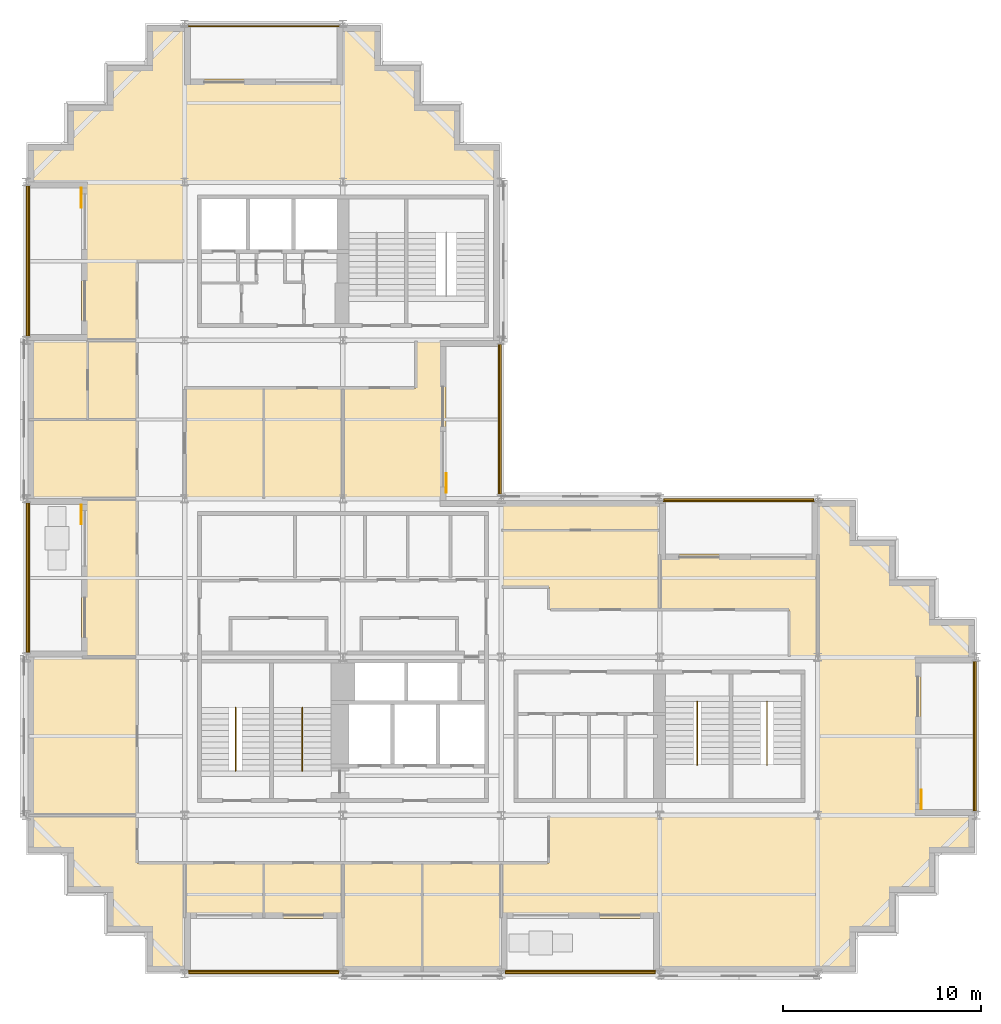
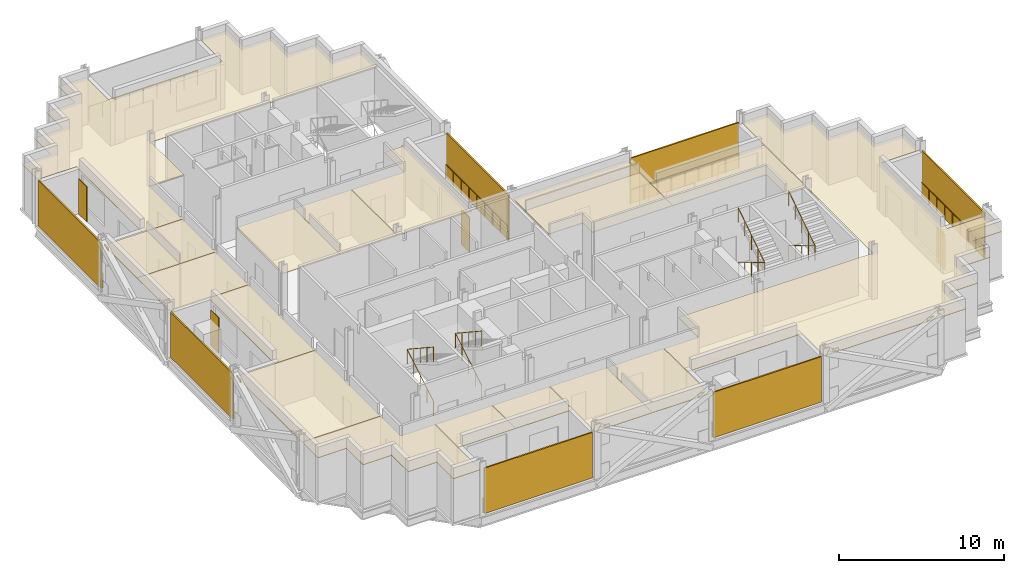
# One storey, part 11 of 13: 18 coverings, 12 railings, 11 shading devices.
"""IFC4 building model written with IfcOpenShell, lengths in metres."""

import ifcopenshell
import ifcopenshell.guid

model = None  # the IFC model being written
_history = None  # IfcOwnerHistory: only IFC2X3 demands one
_inside = {}  # id of a spatial element -> (the spatial element, [elements in it])
_under = {}  # id of a project, library or spatial element -> (it, [spatial elements below it])
_declared = {}  # id of a project -> (the project, [libraries it declares])
_typed = {}  # id of a type object -> (the type object, [elements of that type])
_made_of = {}  # id of a material, layer set ... -> (it, [elements and type objects made of it])


def new_model(schema):
    """Start an empty IFC model of exactly this schema.

    Asked for "IFC4X3", IfcOpenShell would pick the latest addendum, in which some entities
    have other attributes; the version numbers below select the first issue.
    IFC2X3 requires an IfcOwnerHistory on every rooted entity: one is made here for all.
    """
    global model, _history
    if schema == "IFC4X3":
        model = ifcopenshell.file(schema_version=(4, 3, 0, 0))
    else:
        model = ifcopenshell.file(schema=schema)
    _inside.clear()
    _under.clear()
    _declared.clear()
    _typed.clear()
    _made_of.clear()
    _history = None
    if model.schema == "IFC2X3":
        org = make("IfcOrganization", Name="unknown")
        user = make(
            "IfcPersonAndOrganization",
            ThePerson=make("IfcPerson", FamilyName="unknown"),
            TheOrganization=org,
        )
        app = make(
            "IfcApplication",
            ApplicationDeveloper=org,
            Version="unknown",
            ApplicationFullName="unknown",
            ApplicationIdentifier="unknown",
        )
        _history = make(
            "IfcOwnerHistory",
            OwningUser=user,
            OwningApplication=app,
            ChangeAction="ADDED",
            CreationDate=0,
        )
    return model


def make(cls, **values):
    """One entity of the class cls with the attributes given. An attribute that is None is left unset."""
    return model.create_entity(
        cls, **{name: value for name, value in values.items() if value is not None}
    )


def rooted(cls, **values):
    """An entity with a GlobalId (a new one), such as an element, a storey or a relation."""
    return make(cls, GlobalId=ifcopenshell.guid.new(), OwnerHistory=_history, **values)


def si_unit(unit_type, name, prefix=None):
    """IfcSIUnit, for example si_unit("LENGTHUNIT", "METRE", prefix="MILLI")."""
    return make("IfcSIUnit", UnitType=unit_type, Prefix=prefix, Name=name)


def assignment(units):
    """IfcUnitAssignment: the units of a project."""
    return None if units is None else make("IfcUnitAssignment", Units=units)


def point(xyz):
    """IfcCartesianPoint."""
    return None if xyz is None else make("IfcCartesianPoint", Coordinates=xyz)


def direction(xyz):
    """IfcDirection."""
    return None if xyz is None else make("IfcDirection", DirectionRatios=xyz)


def frame(location, z_axis=None, x_axis=None):
    """IfcAxis2Placement3D, a coordinate frame: its origin and axes. An axis left out is left unset."""
    return make(
        "IfcAxis2Placement3D",
        Location=point(location),
        Axis=direction(z_axis),
        RefDirection=direction(x_axis),
    )


def frame_2d(location, x_axis=None):
    """IfcAxis2Placement2D, a coordinate frame in the plane: its origin and x axis."""
    return make(
        "IfcAxis2Placement2D", Location=point(location), RefDirection=direction(x_axis)
    )


def origin():
    """The frame at (0, 0, 0) with its axes left unset."""
    return frame((0.0, 0.0, 0.0))


def origin_2d():
    """The frame at (0, 0) in the plane with its x axis left unset."""
    return frame_2d((0.0, 0.0))


def place(relative_to, where):
    """IfcLocalPlacement: puts the frame where relative to a parent placement (None: the world)."""
    return make(
        "IfcLocalPlacement", PlacementRelTo=relative_to, RelativePlacement=where
    )


def context(
    kind, dimensions, precision=None, world=None, true_north=None, identifier=None
):
    """IfcGeometricRepresentationContext, for example the 3D "Model" context."""
    return make(
        "IfcGeometricRepresentationContext",
        ContextIdentifier=identifier,
        ContextType=kind,
        CoordinateSpaceDimension=dimensions,
        Precision=precision,
        WorldCoordinateSystem=world,
        TrueNorth=true_north,
    )


def subcontext(parent, identifier, kind, view, scale=None):
    """IfcGeometricRepresentationSubContext, for example "Body" below "Model"."""
    return make(
        "IfcGeometricRepresentationSubContext",
        ContextIdentifier=identifier,
        ContextType=kind,
        ParentContext=parent,
        TargetScale=scale,
        TargetView=view,
    )


def project(units=None, contexts=None):
    """IfcProject with its units and contexts."""
    return rooted(
        "IfcProject",
        Name="project",
        RepresentationContexts=contexts,
        UnitsInContext=assignment(units),
    )


def spatial(cls, under=None, at=None, **own):
    """A site, building, storey or space (cls), placed at a placement, below another one or the project."""
    s = rooted(cls, ObjectPlacement=at, **own)
    if under is not None:
        _under.setdefault(under.id(), (under, []))[1].append(s)
    return s


def polyline(points):
    """IfcPolyline through the points."""
    return make("IfcPolyline", Points=[point(p) for p in points])


def profile(cls, at=None, kind="AREA", **sizes):
    """A parametric profile (cls). Its sizes go by their IFC names, for example OverallWidth=200.0."""
    return make(cls, ProfileType=kind, Position=at, **sizes)


def rectangle(**sizes):
    """IfcRectangleProfileDef."""
    return profile("IfcRectangleProfileDef", **sizes)


def circle(**sizes):
    """IfcCircleProfileDef."""
    return profile("IfcCircleProfileDef", **sizes)


def outline(outer, holes=None, kind="AREA"):
    """IfcArbitraryClosedProfileDef: a profile drawn as a closed curve; with holes, ...WithVoids."""
    if holes is None:
        return make("IfcArbitraryClosedProfileDef", ProfileType=kind, OuterCurve=outer)
    return make(
        "IfcArbitraryProfileDefWithVoids",
        ProfileType=kind,
        OuterCurve=outer,
        InnerCurves=holes,
    )


def extrude(swept, where, along, depth):
    """IfcExtrudedAreaSolid: the profile swept, set in the frame where, extruded along a direction by depth."""
    return make(
        "IfcExtrudedAreaSolid",
        SweptArea=swept,
        Position=where,
        ExtrudedDirection=direction(along),
        Depth=depth,
    )


def shape(context_of_items, identifier, shape_type, items):
    """IfcShapeRepresentation: the items that make up one representation, for example the "Body"."""
    return make(
        "IfcShapeRepresentation",
        ContextOfItems=context_of_items,
        RepresentationIdentifier=identifier,
        RepresentationType=shape_type,
        Items=items,
    )


def material(Name=None, Category=None):
    """IfcMaterial."""
    return make("IfcMaterial", Name=Name, Category=Category)


def layer(
    of_material, thickness, ventilated=None, Name=None, Category=None, Priority=None
):
    """IfcMaterialLayer: one layer of a wall or slab, of a material (None: an air gap)."""
    return make(
        "IfcMaterialLayer",
        Material=of_material,
        LayerThickness=thickness,
        IsVentilated=ventilated,
        Name=Name,
        Category=Category,
        Priority=Priority,
    )


def layer_set(layers, Name=None):
    """IfcMaterialLayerSet."""
    return make("IfcMaterialLayerSet", MaterialLayers=layers, LayerSetName=Name)


def made_of(thing, what):
    """Note that an element or type object is made of a material, layer set ...; save() writes the relation."""
    if what is not None:
        _made_of.setdefault(what.id(), (what, []))[1].append(thing)
    return thing


def type_object(cls, material=None, **own):
    """A type object (cls), such as IfcWallType, which elements share."""
    return made_of(rooted(cls, **own), material)


def element(
    cls,
    number,
    at=None,
    inside=None,
    cuts=None,
    type_object=None,
    material=None,
    context=None,
    identifier="Body",
    shape_type=None,
    held_by="IfcProductDefinitionShape",
    body=None,
    shapes=None,
    **own,
):
    """One element of the class cls, such as IfcWall. Its Tag is "e" and its number.

    at: its placement. inside: the storey or other place that contains it. cuts: it is an
    opening in that element (IfcRelVoidsElement). A single representation is given by context,
    identifier, shape_type and body (its items); several are given by shapes. held_by: the class
    of the entity that holds the representations. save() writes the other relations.
    """
    e = rooted(cls, Tag="e%d" % number, ObjectPlacement=at, **own)
    if body is not None:
        shapes = [shape(context, identifier, shape_type, body)]
    if shapes is not None:
        e.Representation = make(held_by, Representations=shapes)
    if inside is not None:
        _inside.setdefault(inside.id(), (inside, []))[1].append(e)
    if cuts is not None:
        rooted(
            "IfcRelVoidsElement", RelatingBuildingElement=cuts, RelatedOpeningElement=e
        )
    if type_object is not None:
        _typed.setdefault(type_object.id(), (type_object, []))[1].append(e)
    return made_of(e, material)


def aggregate(whole, parts):
    """IfcRelAggregates: a whole, such as a stair, and the parts it consists of."""
    return rooted("IfcRelAggregates", RelatingObject=whole, RelatedObjects=parts)


def save(model, path):
    """Write the relations noted so far, then the file.

    IfcRelAggregates (storeys below a building ...), IfcRelContainedInSpatialStructure (elements
    in a storey), IfcRelDefinesByType, IfcRelAssociatesMaterial and IfcRelDeclares: one each for
    every whole, place, type object, material and project.
    """
    for whole, parts in _under.values():
        aggregate(whole, parts)
    for where, things in _inside.values():
        rooted(
            "IfcRelContainedInSpatialStructure",
            RelatedElements=things,
            RelatingStructure=where,
        )
    for kind, things in _typed.values():
        rooted("IfcRelDefinesByType", RelatedObjects=things, RelatingType=kind)
    for what, things in _made_of.values():
        rooted("IfcRelAssociatesMaterial", RelatedObjects=things, RelatingMaterial=what)
    for by, libraries in _declared.values():
        rooted("IfcRelDeclares", RelatingContext=by, RelatedDefinitions=libraries)
    model.write(path)


model = new_model("IFC4")

# Units and contexts
model_context = context("Model", 3, precision=1e-05, world=origin(), true_north=direction((0.0, 1.0)))
body_context = subcontext(model_context, "Body", "Model", "MODEL_VIEW")
ifc_project = project(units=[si_unit("LENGTHUNIT", "METRE"), si_unit("AREAUNIT", "SQUARE_METRE"), si_unit("VOLUMEUNIT", "CUBIC_METRE"), si_unit("PLANEANGLEUNIT", "RADIAN"), si_unit("MASSUNIT", "GRAM", prefix="KILO")], contexts=[model_context])

# Site, building, storey
site_placement = place(None, origin())
site = spatial("IfcSite", under=ifc_project, at=site_placement, CompositionType="ELEMENT")
building_placement = place(site_placement, origin())
building = spatial("IfcBuilding", under=site, at=building_placement, Name="Immortelle Media Tower", CompositionType="ELEMENT")
storey_placement = place(building_placement, frame((0.0, 0.0, 128.39990234375)))
storey = spatial("IfcBuildingStorey", under=building, at=storey_placement, Name="L25", CompositionType="ELEMENT", Elevation=128.39990234375)

# Railings
ifc_material_1 = material(Name="Powder-coated aluminium fretwork panel, laminated glass backing", Category="aluminium")
railing_type_1 = type_object("IfcRailingType", Name="Fretwork balustrade 1100", PredefinedType="BALUSTRADE", material=ifc_material_1)
railing_1_placement = place(storey_placement, frame((8.20556640625, 0.139892578125, 0.0)))
element("IfcRailing", 1, at=railing_1_placement, inside=storey, type_object=railing_type_1, Name="Fretwork balustrade L25 S0", PredefinedType="BALUSTRADE", context=body_context, shape_type="SweptSolid", body=[
    extrude(circle(Radius=0.02490234375, at=origin_2d()), frame((0.0, 0.0, 1.0751953125), z_axis=(1.0, 0.0, 0.0), x_axis=(0.0, 1.0, 0.0)), (0.0, 0.0, 1.0), 7.58251953125),
    extrude(circle(Radius=0.02001953125, at=origin_2d()), origin(), (0.0, 0.0, 1.0), 1.050048828125),
    extrude(circle(Radius=0.02001953125, at=origin_2d()), frame((0.94775390625, 0.0, 0.0)), (0.0, 0.0, 1.0), 1.050048828125),
    extrude(circle(Radius=0.02001953125, at=origin_2d()), frame((1.8955078125, 0.0, 0.0)), (0.0, 0.0, 1.0), 1.050048828125),
    extrude(circle(Radius=0.02001953125, at=origin_2d()), frame((2.843505859375, 0.0, 0.0)), (0.0, 0.0, 1.0), 1.050048828125),
    extrude(circle(Radius=0.02001953125, at=origin_2d()), frame((3.791259765625, 0.0, 0.0)), (0.0, 0.0, 1.0), 1.050048828125),
    extrude(circle(Radius=0.02001953125, at=origin_2d()), frame((4.739013671875, 0.0, 0.0)), (0.0, 0.0, 1.0), 1.050048828125),
    extrude(circle(Radius=0.02001953125, at=origin_2d()), frame((5.68701171875, 0.0, 0.0)), (0.0, 0.0, 1.0), 1.050048828125),
    extrude(circle(Radius=0.02001953125, at=origin_2d()), frame((6.634765625, 0.0, 0.0)), (0.0, 0.0, 1.0), 1.050048828125),
    extrude(circle(Radius=0.02001953125, at=origin_2d()), frame((7.58251953125, 0.0, 0.0)), (0.0, 0.0, 1.0), 1.050048828125),
])
railing_2_placement = place(storey_placement, frame((24.2119140625, 0.139892578125, 0.0)))
element("IfcRailing", 2, at=railing_2_placement, inside=storey, type_object=railing_type_1, Name="Fretwork balustrade L25 S2", PredefinedType="BALUSTRADE", context=body_context, shape_type="SweptSolid", body=[
    extrude(circle(Radius=0.02490234375, at=origin_2d()), frame((0.0, 0.0, 1.0751953125), z_axis=(1.0, 0.0, 0.0), x_axis=(0.0, 1.0, 0.0)), (0.0, 0.0, 1.0), 7.576171875),
    extrude(circle(Radius=0.02001953125, at=origin_2d()), origin(), (0.0, 0.0, 1.0), 1.050048828125),
    extrude(circle(Radius=0.02001953125, at=origin_2d()), frame((0.947021484375, 0.0, 0.0)), (0.0, 0.0, 1.0), 1.050048828125),
    extrude(circle(Radius=0.02001953125, at=origin_2d()), frame((1.89404296875, 0.0, 0.0)), (0.0, 0.0, 1.0), 1.050048828125),
    extrude(circle(Radius=0.02001953125, at=origin_2d()), frame((2.841064453125, 0.0, 0.0)), (0.0, 0.0, 1.0), 1.050048828125),
    extrude(circle(Radius=0.02001953125, at=origin_2d()), frame((3.7880859375, 0.0, 0.0)), (0.0, 0.0, 1.0), 1.050048828125),
    extrude(circle(Radius=0.02001953125, at=origin_2d()), frame((4.735107421875, 0.0, 0.0)), (0.0, 0.0, 1.0), 1.050048828125),
    extrude(circle(Radius=0.02001953125, at=origin_2d()), frame((5.68212890625, 0.0, 0.0)), (0.0, 0.0, 1.0), 1.050048828125),
    extrude(circle(Radius=0.02001953125, at=origin_2d()), frame((6.629150390625, 0.0, 0.0)), (0.0, 0.0, 1.0), 1.050048828125),
    extrude(circle(Radius=0.02001953125, at=origin_2d()), frame((7.576171875, 0.0, 0.0)), (0.0, 0.0, 1.0), 1.050048828125),
])
railing_3_placement = place(storey_placement, frame((47.860107421875, 8.217041015625, 0.0)))
element("IfcRailing", 3, at=railing_3_placement, inside=storey, type_object=railing_type_1, Name="Fretwork balustrade L25 E0", PredefinedType="BALUSTRADE", context=body_context, shape_type="SweptSolid", body=[
    extrude(circle(Radius=0.02490234375, at=origin_2d()), frame((0.0, 0.0, 1.0751953125), z_axis=(0.0, 1.0, 0.0), x_axis=(-1.0, 0.0, 0.0)), (0.0, 0.0, 1.0), 7.56591796875),
    extrude(circle(Radius=0.02001953125, at=origin_2d()), origin(), (0.0, 0.0, 1.0), 1.050048828125),
    extrude(circle(Radius=0.02001953125, at=origin_2d()), frame((0.0, 0.94580078125, 0.0)), (0.0, 0.0, 1.0), 1.050048828125),
    extrude(circle(Radius=0.02001953125, at=origin_2d()), frame((0.0, 1.8916015625, 0.0)), (0.0, 0.0, 1.0), 1.050048828125),
    extrude(circle(Radius=0.02001953125, at=origin_2d()), frame((0.0, 2.837158203125, 0.0)), (0.0, 0.0, 1.0), 1.050048828125),
    extrude(circle(Radius=0.02001953125, at=origin_2d()), frame((0.0, 3.782958984375, 0.0)), (0.0, 0.0, 1.0), 1.050048828125),
    extrude(circle(Radius=0.02001953125, at=origin_2d()), frame((0.0, 4.728759765625, 0.0)), (0.0, 0.0, 1.0), 1.050048828125),
    extrude(circle(Radius=0.02001953125, at=origin_2d()), frame((0.0, 5.67431640625, 0.0)), (0.0, 0.0, 1.0), 1.050048828125),
    extrude(circle(Radius=0.02001953125, at=origin_2d()), frame((0.0, 6.6201171875, 0.0)), (0.0, 0.0, 1.0), 1.050048828125),
    extrude(circle(Radius=0.02001953125, at=origin_2d()), frame((0.0, 7.56591796875, 0.0)), (0.0, 0.0, 1.0), 1.050048828125),
])
railing_4_placement = place(storey_placement, frame((39.79443359375, 23.860107421875, 0.0)))
element("IfcRailing", 4, at=railing_4_placement, inside=storey, type_object=railing_type_1, Name="Fretwork balustrade L25 N0", PredefinedType="BALUSTRADE", context=body_context, shape_type="SweptSolid", body=[
    extrude(circle(Radius=0.02490234375, at=origin_2d()), frame((0.0, 0.0, 1.0751953125), z_axis=(-1.0, 0.0, 0.0), x_axis=(0.0, -1.0, 0.0)), (0.0, 0.0, 1.0), 7.58251953125),
    extrude(circle(Radius=0.02001953125, at=origin_2d()), origin(), (0.0, 0.0, 1.0), 1.050048828125),
    extrude(circle(Radius=0.02001953125, at=origin_2d()), frame((-0.94775390625, 0.0, 0.0)), (0.0, 0.0, 1.0), 1.050048828125),
    extrude(circle(Radius=0.02001953125, at=origin_2d()), frame((-1.8955078125, 0.0, 0.0)), (0.0, 0.0, 1.0), 1.050048828125),
    extrude(circle(Radius=0.02001953125, at=origin_2d()), frame((-2.843505859375, 0.0, 0.0)), (0.0, 0.0, 1.0), 1.050048828125),
    extrude(circle(Radius=0.02001953125, at=origin_2d()), frame((-3.791259765625, 0.0, 0.0)), (0.0, 0.0, 1.0), 1.050048828125),
    extrude(circle(Radius=0.02001953125, at=origin_2d()), frame((-4.739013671875, 0.0, 0.0)), (0.0, 0.0, 1.0), 1.050048828125),
    extrude(circle(Radius=0.02001953125, at=origin_2d()), frame((-5.68701171875, 0.0, 0.0)), (0.0, 0.0, 1.0), 1.050048828125),
    extrude(circle(Radius=0.02001953125, at=origin_2d()), frame((-6.634765625, 0.0, 0.0)), (0.0, 0.0, 1.0), 1.050048828125),
    extrude(circle(Radius=0.02001953125, at=origin_2d()), frame((-7.58251953125, 0.0, 0.0)), (0.0, 0.0, 1.0), 1.050048828125),
])
railing_5_placement = place(storey_placement, frame((23.860107421875, 24.237548828125, 0.0)))
element("IfcRailing", 5, at=railing_5_placement, inside=storey, type_object=railing_type_1, Name="Fretwork balustrade L25 E0", PredefinedType="BALUSTRADE", context=body_context, shape_type="SweptSolid", body=[
    extrude(circle(Radius=0.02490234375, at=origin_2d()), frame((0.0, 0.0, 1.0751953125), z_axis=(0.0, 1.0, 0.0), x_axis=(-1.0, 0.0, 0.0)), (0.0, 0.0, 1.0), 7.56298828125),
    extrude(circle(Radius=0.02001953125, at=origin_2d()), origin(), (0.0, 0.0, 1.0), 1.050048828125),
    extrude(circle(Radius=0.02001953125, at=origin_2d()), frame((0.0, 0.9453125, 0.0)), (0.0, 0.0, 1.0), 1.050048828125),
    extrude(circle(Radius=0.02001953125, at=origin_2d()), frame((0.0, 1.890625, 0.0)), (0.0, 0.0, 1.0), 1.050048828125),
    extrude(circle(Radius=0.02001953125, at=origin_2d()), frame((0.0, 2.836181640625, 0.0)), (0.0, 0.0, 1.0), 1.050048828125),
    extrude(circle(Radius=0.02001953125, at=origin_2d()), frame((0.0, 3.781494140625, 0.0)), (0.0, 0.0, 1.0), 1.050048828125),
    extrude(circle(Radius=0.02001953125, at=origin_2d()), frame((0.0, 4.726806640625, 0.0)), (0.0, 0.0, 1.0), 1.050048828125),
    extrude(circle(Radius=0.02001953125, at=origin_2d()), frame((0.0, 5.67236328125, 0.0)), (0.0, 0.0, 1.0), 1.050048828125),
    extrude(circle(Radius=0.02001953125, at=origin_2d()), frame((0.0, 6.61767578125, 0.0)), (0.0, 0.0, 1.0), 1.050048828125),
    extrude(circle(Radius=0.02001953125, at=origin_2d()), frame((0.0, 7.56298828125, 0.0)), (0.0, 0.0, 1.0), 1.050048828125),
])
railing_6_placement = place(storey_placement, frame((15.802978515625, 47.860107421875, 0.0)))
element("IfcRailing", 6, at=railing_6_placement, inside=storey, type_object=railing_type_1, Name="Fretwork balustrade L25 N0", PredefinedType="BALUSTRADE", context=body_context, shape_type="SweptSolid", body=[
    extrude(circle(Radius=0.02490234375, at=origin_2d()), frame((0.0, 0.0, 1.0751953125), z_axis=(-1.0, 0.0, 0.0), x_axis=(0.0, -1.0, 0.0)), (0.0, 0.0, 1.0), 7.60595703125),
    extrude(circle(Radius=0.02001953125, at=origin_2d()), origin(), (0.0, 0.0, 1.0), 1.050048828125),
    extrude(circle(Radius=0.02001953125, at=origin_2d()), frame((-0.95068359375, 0.0, 0.0)), (0.0, 0.0, 1.0), 1.050048828125),
    extrude(circle(Radius=0.02001953125, at=origin_2d()), frame((-1.9013671875, 0.0, 0.0)), (0.0, 0.0, 1.0), 1.050048828125),
    extrude(circle(Radius=0.02001953125, at=origin_2d()), frame((-2.852294921875, 0.0, 0.0)), (0.0, 0.0, 1.0), 1.050048828125),
    extrude(circle(Radius=0.02001953125, at=origin_2d()), frame((-3.802978515625, 0.0, 0.0)), (0.0, 0.0, 1.0), 1.050048828125),
    extrude(circle(Radius=0.02001953125, at=origin_2d()), frame((-4.753662109375, 0.0, 0.0)), (0.0, 0.0, 1.0), 1.050048828125),
    extrude(circle(Radius=0.02001953125, at=origin_2d()), frame((-5.70458984375, 0.0, 0.0)), (0.0, 0.0, 1.0), 1.050048828125),
    extrude(circle(Radius=0.02001953125, at=origin_2d()), frame((-6.6552734375, 0.0, 0.0)), (0.0, 0.0, 1.0), 1.050048828125),
    extrude(circle(Radius=0.02001953125, at=origin_2d()), frame((-7.60595703125, 0.0, 0.0)), (0.0, 0.0, 1.0), 1.050048828125),
])
railing_7_placement = place(storey_placement, frame((0.139892578125, 39.81201171875, 0.0)))
element("IfcRailing", 7, at=railing_7_placement, inside=storey, type_object=railing_type_1, Name="Fretwork balustrade L25 W0", PredefinedType="BALUSTRADE", context=body_context, shape_type="SweptSolid", body=[
    extrude(circle(Radius=0.02490234375, at=origin_2d()), frame((0.0, 0.0, 1.0751953125), z_axis=(0.0, -1.0, 0.0), x_axis=(1.0, 0.0, 0.0)), (0.0, 0.0, 1.0), 7.612548828125),
    extrude(circle(Radius=0.02001953125, at=origin_2d()), origin(), (0.0, 0.0, 1.0), 1.050048828125),
    extrude(circle(Radius=0.02001953125, at=origin_2d()), frame((0.0, -0.95166015625, 0.0)), (0.0, 0.0, 1.0), 1.050048828125),
    extrude(circle(Radius=0.02001953125, at=origin_2d()), frame((0.0, -1.903076171875, 0.0)), (0.0, 0.0, 1.0), 1.050048828125),
    extrude(circle(Radius=0.02001953125, at=origin_2d()), frame((0.0, -2.854736328125, 0.0)), (0.0, 0.0, 1.0), 1.050048828125),
    extrude(circle(Radius=0.02001953125, at=origin_2d()), frame((0.0, -3.80615234375, 0.0)), (0.0, 0.0, 1.0), 1.050048828125),
    extrude(circle(Radius=0.02001953125, at=origin_2d()), frame((0.0, -4.7578125, 0.0)), (0.0, 0.0, 1.0), 1.050048828125),
    extrude(circle(Radius=0.02001953125, at=origin_2d()), frame((0.0, -5.70947265625, 0.0)), (0.0, 0.0, 1.0), 1.050048828125),
    extrude(circle(Radius=0.02001953125, at=origin_2d()), frame((0.0, -6.660888671875, 0.0)), (0.0, 0.0, 1.0), 1.050048828125),
    extrude(circle(Radius=0.02001953125, at=origin_2d()), frame((0.0, -7.612548828125, 0.0)), (0.0, 0.0, 1.0), 1.050048828125),
])
railing_8_placement = place(storey_placement, frame((0.139892578125, 23.800537109375, 0.0)))
element("IfcRailing", 8, at=railing_8_placement, inside=storey, type_object=railing_type_1, Name="Fretwork balustrade L25 W2", PredefinedType="BALUSTRADE", context=body_context, shape_type="SweptSolid", body=[
    extrude(circle(Radius=0.02490234375, at=origin_2d()), frame((0.0, 0.0, 1.0751953125), z_axis=(0.0, -1.0, 0.0), x_axis=(1.0, 0.0, 0.0)), (0.0, 0.0, 1.0), 7.56298828125),
    extrude(circle(Radius=0.02001953125, at=origin_2d()), origin(), (0.0, 0.0, 1.0), 1.050048828125),
    extrude(circle(Radius=0.02001953125, at=origin_2d()), frame((0.0, -0.9453125, 0.0)), (0.0, 0.0, 1.0), 1.050048828125),
    extrude(circle(Radius=0.02001953125, at=origin_2d()), frame((0.0, -1.890625, 0.0)), (0.0, 0.0, 1.0), 1.050048828125),
    extrude(circle(Radius=0.02001953125, at=origin_2d()), frame((0.0, -2.836181640625, 0.0)), (0.0, 0.0, 1.0), 1.050048828125),
    extrude(circle(Radius=0.02001953125, at=origin_2d()), frame((0.0, -3.781494140625, 0.0)), (0.0, 0.0, 1.0), 1.050048828125),
    extrude(circle(Radius=0.02001953125, at=origin_2d()), frame((0.0, -4.726806640625, 0.0)), (0.0, 0.0, 1.0), 1.050048828125),
    extrude(circle(Radius=0.02001953125, at=origin_2d()), frame((0.0, -5.67236328125, 0.0)), (0.0, 0.0, 1.0), 1.050048828125),
    extrude(circle(Radius=0.02001953125, at=origin_2d()), frame((0.0, -6.61767578125, 0.0)), (0.0, 0.0, 1.0), 1.050048828125),
    extrude(circle(Radius=0.02001953125, at=origin_2d()), frame((0.0, -7.56298828125, 0.0)), (0.0, 0.0, 1.0), 1.050048828125),
])

# Shading devices
ifc_material_2 = material(Name="Pale aluminium louvre blades", Category="aluminium")
ifc_layer_1 = layer(ifc_material_2, 0.10009765625)
ifc_layer_set_1 = layer_set([ifc_layer_1], Name="Pale aluminium louvre blades")
shading_device_type_1 = type_object("IfcShadingDeviceType", Name="Jalousie screen 100", PredefinedType="JALOUSIE", material=ifc_layer_set_1)
shading_device_1_placement = place(storey_placement, frame((11.996826171875, 0.050048828125, 0.000244140625), z_axis=(0.0, 0.0, 1.0), x_axis=(1.0, 0.0, 0.0)))
element("IfcShadingDevice", 9, at=shading_device_1_placement, inside=storey, type_object=shading_device_type_1, Name="Jalousie screen L25 S0", PredefinedType="JALOUSIE", context=body_context, shape_type="SweptSolid", body=[
    extrude(rectangle(XDim=7.58251953125, YDim=0.10009765625, at=origin_2d()), origin(), (0.0, 0.0, 1.0), 3.35693359375),
])
shading_device_2_placement = place(storey_placement, frame((28.0, 0.050048828125, 0.000244140625), z_axis=(0.0, 0.0, 1.0), x_axis=(1.0, 0.0, 0.0)))
element("IfcShadingDevice", 10, at=shading_device_2_placement, inside=storey, type_object=shading_device_type_1, Name="Jalousie screen L25 S2", PredefinedType="JALOUSIE", context=body_context, shape_type="SweptSolid", body=[
    extrude(rectangle(XDim=7.575927734375, YDim=0.10009765625, at=origin_2d()), origin(), (0.0, 0.0, 1.0), 3.35693359375),
])
shading_device_3_placement = place(storey_placement, frame((47.949951171875, 12.0, 0.000244140625), z_axis=(0.0, 0.0, 1.0), x_axis=(0.0, 1.0, 0.0)))
element("IfcShadingDevice", 11, at=shading_device_3_placement, inside=storey, type_object=shading_device_type_1, Name="Jalousie screen L25 E0", PredefinedType="JALOUSIE", context=body_context, shape_type="SweptSolid", body=[
    extrude(rectangle(XDim=7.56591796875, YDim=0.10009765625, at=origin_2d()), origin(), (0.0, 0.0, 1.0), 3.35693359375),
])
shading_device_4_placement = place(storey_placement, frame((36.003173828125, 23.949951171875, 0.000244140625), z_axis=(0.0, 0.0, 1.0), x_axis=(-1.0, 0.0, 0.0)))
element("IfcShadingDevice", 12, at=shading_device_4_placement, inside=storey, type_object=shading_device_type_1, Name="Jalousie screen L25 N0", PredefinedType="JALOUSIE", context=body_context, shape_type="SweptSolid", body=[
    extrude(rectangle(XDim=7.58251953125, YDim=0.10009765625, at=origin_2d()), origin(), (0.0, 0.0, 1.0), 3.35693359375),
])
shading_device_5_placement = place(storey_placement, frame((23.949951171875, 28.01904296875, 0.000244140625), z_axis=(0.0, 0.0, 1.0), x_axis=(0.0, 1.0, 0.0)))
element("IfcShadingDevice", 13, at=shading_device_5_placement, inside=storey, type_object=shading_device_type_1, Name="Jalousie screen L25 E0", PredefinedType="JALOUSIE", context=body_context, shape_type="SweptSolid", body=[
    extrude(rectangle(XDim=7.56298828125, YDim=0.10009765625, at=origin_2d()), origin(), (0.0, 0.0, 1.0), 3.35693359375),
])
shading_device_6_placement = place(storey_placement, frame((0.050048828125, 36.005859375, 0.000244140625), z_axis=(0.0, 0.0, 1.0), x_axis=(0.0, -1.0, 0.0)))
element("IfcShadingDevice", 14, at=shading_device_6_placement, inside=storey, type_object=shading_device_type_1, Name="Jalousie screen L25 W0", PredefinedType="JALOUSIE", context=body_context, shape_type="SweptSolid", body=[
    extrude(rectangle(XDim=7.612548828125, YDim=0.10009765625, at=origin_2d()), origin(), (0.0, 0.0, 1.0), 3.35693359375),
])
shading_device_7_placement = place(storey_placement, frame((0.050048828125, 20.01904296875, 0.000244140625), z_axis=(0.0, 0.0, 1.0), x_axis=(0.0, -1.0, 0.0)))
element("IfcShadingDevice", 15, at=shading_device_7_placement, inside=storey, type_object=shading_device_type_1, Name="Jalousie screen L25 W2", PredefinedType="JALOUSIE", context=body_context, shape_type="SweptSolid", body=[
    extrude(rectangle(XDim=7.56298828125, YDim=0.10009765625, at=origin_2d()), origin(), (0.0, 0.0, 1.0), 3.35693359375),
])
ifc_material_3 = material(Name="Pale aluminium louvre blades in a folding frame", Category="aluminium")
ifc_layer_2 = layer(ifc_material_3, 0.050048828125)
ifc_layer_set_2 = layer_set([ifc_layer_2], Name="Pale aluminium louvre blades in a folding frame")
shading_device_type_2 = type_object("IfcShadingDeviceType", Name="Louvred loggia shutter", PredefinedType="SHUTTER", material=ifc_layer_set_2)
for number, where, z_axis, x_axis, name in (
    (16, (45.22509765625, 8.800048828125, 0.0), (0.0, 0.0, 1.0), (0.0, 1.0, 0.0), "Loggia shutter L25 E0"),
    (17, (21.22509765625, 24.800048828125, 0.0), (0.0, 0.0, 1.0), (0.0, 1.0, 0.0), "Loggia shutter L25 E0"),
    (18, (2.77490234375, 39.199951171875, 0.0), (0.0, 0.0, 1.0), (0.0, -1.0, 0.0), "Loggia shutter L25 W0"),
    (19, (2.77490234375, 23.199951171875, 0.0), (0.0, 0.0, 1.0), (0.0, -1.0, 0.0), "Loggia shutter L25 W2"),
):
    element("IfcShadingDevice", number, at=place(storey_placement, frame(where, z_axis=z_axis, x_axis=x_axis)), inside=storey, type_object=shading_device_type_2, Name=name, PredefinedType="SHUTTER", context=body_context, shape_type="SweptSolid", body=[
        extrude(rectangle(XDim=1.0, YDim=0.050048828125, at=origin_2d()), origin(), (0.0, 0.0, 1.0), 2.60009765625),
    ])

# Railings
ifc_material_4 = material(Name="Stainless steel AISI 316", Category="steel")
railing_type_2 = type_object("IfcRailingType", Name="Stair guard 1100", PredefinedType="GUARDRAIL", material=ifc_material_4)
for number, where, name in (
    (20, (10.574951171875, 10.25, 0.175048828125), "Stair guard SW1"),
    (21, (13.949951171875, 10.25, 0.175048828125), "Stair guard SW2"),
):
    element("IfcRailing", number, at=place(storey_placement, frame(where)), inside=storey, type_object=railing_type_2, Name=name, PredefinedType="GUARDRAIL", context=body_context, shape_type="SweptSolid", body=[
        extrude(circle(Radius=0.02392578125, at=origin_2d()), frame((0.0, 0.0, 1.076171875), z_axis=(0.0, 0.856177665481, 0.516681531633), x_axis=(-1.0, 0.0, 0.0)), (0.0, 0.0, 1.0), 3.725830078125),
        extrude(circle(Radius=0.02392578125, at=origin_2d()), frame((0.0, 3.18994140625, 3.0009765625), z_axis=(0.0, -0.835242474824, 0.549881812983), x_axis=(1.0, 0.0, 0.0)), (0.0, 0.0, 1.0), 3.819091796875),
        extrude(circle(Radius=0.02099609375, at=origin_2d()), origin(), (0.0, 0.0, 1.0), 1.052001953125),
        extrude(circle(Radius=0.02099609375, at=origin_2d()), frame((0.0, 0.79736328125, 0.481201171875)), (0.0, 0.0, 1.0), 1.052001953125),
        extrude(circle(Radius=0.02099609375, at=origin_2d()), frame((0.0, 1.594970703125, 0.96240234375)), (0.0, 0.0, 1.0), 1.052001953125),
        extrude(circle(Radius=0.02099609375, at=origin_2d()), frame((0.0, 2.392578125, 1.44384765625)), (0.0, 0.0, 1.0), 1.052001953125),
        extrude(circle(Radius=0.02099609375, at=origin_2d()), frame((0.0, 3.18994140625, 1.925048828125)), (0.0, 0.0, 1.0), 1.052001953125),
        extrude(circle(Radius=0.02099609375, at=origin_2d()), frame((0.0, 2.392578125, 2.4501953125)), (0.0, 0.0, 1.0), 1.052001953125),
        extrude(circle(Radius=0.02099609375, at=origin_2d()), frame((0.0, 1.594970703125, 2.97509765625)), (0.0, 0.0, 1.0), 1.052001953125),
        extrude(circle(Radius=0.02099609375, at=origin_2d()), frame((0.0, 0.79736328125, 3.5)), (0.0, 0.0, 1.0), 1.052001953125),
        extrude(circle(Radius=0.02099609375, at=origin_2d()), frame((0.0, 0.0, 4.025146484375)), (0.0, 0.0, 1.0), 1.052001953125),
    ])
for number, where, name in (
    (22, (33.89990234375, 13.75, 0.175048828125), "Stair guard SE1"),
    (23, (37.425048828125, 13.75, 0.175048828125), "Stair guard SE2"),
):
    element("IfcRailing", number, at=place(storey_placement, frame(where)), inside=storey, type_object=railing_type_2, Name=name, PredefinedType="GUARDRAIL", context=body_context, shape_type="SweptSolid", body=[
        extrude(circle(Radius=0.02392578125, at=origin_2d()), frame((0.0, 0.0, 1.076171875), z_axis=(0.0, -0.856177665481, 0.516681531633), x_axis=(1.0, 0.0, 0.0)), (0.0, 0.0, 1.0), 3.725830078125),
        extrude(circle(Radius=0.02392578125, at=origin_2d()), frame((0.0, -3.18994140625, 3.0009765625), z_axis=(0.0, 0.835242474824, 0.549881812983), x_axis=(-1.0, 0.0, 0.0)), (0.0, 0.0, 1.0), 3.819091796875),
        extrude(circle(Radius=0.02099609375, at=origin_2d()), origin(), (0.0, 0.0, 1.0), 1.052001953125),
        extrude(circle(Radius=0.02099609375, at=origin_2d()), frame((0.0, -0.79736328125, 0.481201171875)), (0.0, 0.0, 1.0), 1.052001953125),
        extrude(circle(Radius=0.02099609375, at=origin_2d()), frame((0.0, -1.594970703125, 0.96240234375)), (0.0, 0.0, 1.0), 1.052001953125),
        extrude(circle(Radius=0.02099609375, at=origin_2d()), frame((0.0, -2.392578125, 1.44384765625)), (0.0, 0.0, 1.0), 1.052001953125),
        extrude(circle(Radius=0.02099609375, at=origin_2d()), frame((0.0, -3.18994140625, 1.925048828125)), (0.0, 0.0, 1.0), 1.052001953125),
        extrude(circle(Radius=0.02099609375, at=origin_2d()), frame((0.0, -2.392578125, 2.4501953125)), (0.0, 0.0, 1.0), 1.052001953125),
        extrude(circle(Radius=0.02099609375, at=origin_2d()), frame((0.0, -1.594970703125, 2.97509765625)), (0.0, 0.0, 1.0), 1.052001953125),
        extrude(circle(Radius=0.02099609375, at=origin_2d()), frame((0.0, -0.79736328125, 3.5)), (0.0, 0.0, 1.0), 1.052001953125),
        extrude(circle(Radius=0.02099609375, at=origin_2d()), frame((0.0, 0.0, 4.025146484375)), (0.0, 0.0, 1.0), 1.052001953125),
    ])

# Coverings
ifc_material_5 = material(Name="Mineral fibre tile ceiling")
ifc_layer_3 = layer(ifc_material_5, 0.050048828125)
ifc_layer_set_3 = layer_set([ifc_layer_3], Name="Mineral fibre tile ceiling")
covering_type = type_object("IfcCoveringType", Name="Suspended ceiling 50", PredefinedType="CEILING", material=ifc_layer_set_3)
covering_1_placement = place(storey_placement, frame((0.0, 0.0, 3.238037109375)))
element("IfcCovering", 24, at=covering_1_placement, inside=storey, type_object=covering_type, Name="Ceiling L25-001", PredefinedType="CEILING", context=body_context, shape_type="SweptSolid", body=[
    extrude(outline(polyline([(16.0, 2.800048828125), (16.0, 5.60009765625), (20.0, 5.60009765625), (20.0, 0.10009765625), (16.0, 0.10009765625), (16.0, 2.800048828125)])), origin(), (0.0, 0.0, 1.0), 0.050048828125),
])
covering_2_placement = place(storey_placement, frame((0.0, 0.0, 3.238037109375)))
element("IfcCovering", 25, at=covering_2_placement, inside=storey, type_object=covering_type, Name="Ceiling L25-002", PredefinedType="CEILING", context=body_context, shape_type="SweptSolid", body=[
    extrude(outline(polyline([(24.0, 5.60009765625), (24.0, 2.800048828125), (24.0, 0.10009765625), (20.0, 0.10009765625), (20.0, 5.60009765625), (24.0, 5.60009765625)])), origin(), (0.0, 0.0, 1.0), 0.050048828125),
])
covering_3_placement = place(storey_placement, frame((0.0, 0.0, 3.238037109375)))
element("IfcCovering", 26, at=covering_3_placement, inside=storey, type_object=covering_type, Name="Ceiling L25-003", PredefinedType="CEILING", context=body_context, shape_type="SweptSolid", body=[
    extrude(outline(polyline([(8.0, 5.60009765625), (12.0, 5.60009765625), (12.0, 2.800048828125), (8.0, 2.800048828125), (8.0, 5.60009765625)])), origin(), (0.0, 0.0, 1.0), 0.050048828125),
])
covering_4_placement = place(storey_placement, frame((0.0, 0.0, 3.238037109375)))
element("IfcCovering", 27, at=covering_4_placement, inside=storey, type_object=covering_type, Name="Ceiling L25-004", PredefinedType="CEILING", context=body_context, shape_type="SweptSolid", body=[
    extrude(outline(polyline([(16.0, 5.60009765625), (16.0, 2.800048828125), (12.0, 2.800048828125), (12.0, 5.60009765625), (16.0, 5.60009765625)])), origin(), (0.0, 0.0, 1.0), 0.050048828125),
])
covering_5_placement = place(storey_placement, frame((0.0, 0.0, 3.238037109375)))
element("IfcCovering", 28, at=covering_5_placement, inside=storey, type_object=covering_type, Name="Ceiling L25-005", PredefinedType="CEILING", context=body_context, shape_type="SweptSolid", body=[
    extrude(outline(polyline([(4.10009765625, 2.10009765625), (4.10009765625, 4.10009765625), (4.0, 4.10009765625), (2.10009765625, 4.10009765625), (2.10009765625, 6.10009765625), (0.10009765625, 6.10009765625), (0.10009765625, 8.0), (4.0, 8.0), (5.60009765625, 8.0), (5.60009765625, 5.60009765625), (8.0, 5.60009765625), (8.0, 2.800048828125), (8.0, 0.10009765625), (6.10009765625, 0.10009765625), (6.10009765625, 2.10009765625), (4.10009765625, 2.10009765625)])), origin(), (0.0, 0.0, 1.0), 0.050048828125),
])
covering_6_placement = place(storey_placement, frame((0.0, 0.0, 3.238037109375)))
element("IfcCovering", 29, at=covering_6_placement, inside=storey, type_object=covering_type, Name="Ceiling L25-006", PredefinedType="CEILING", context=body_context, shape_type="SweptSolid", body=[
    extrude(outline(polyline([(26.39990234375, 5.60009765625), (26.39990234375, 8.0), (32.0, 8.0), (40.0, 8.0), (40.0, 16.0), (40.0, 21.199951171875), (40.0, 23.89990234375), (41.89990234375, 23.89990234375), (41.89990234375, 21.89990234375), (43.89990234375, 21.89990234375), (43.89990234375, 19.89990234375), (45.89990234375, 19.89990234375), (45.89990234375, 17.89990234375), (47.89990234375, 17.89990234375), (47.89990234375, 16.0), (45.199951171875, 16.0), (45.199951171875, 8.0), (47.89990234375, 8.0), (47.89990234375, 6.10009765625), (45.89990234375, 6.10009765625), (45.89990234375, 4.10009765625), (43.89990234375, 4.10009765625), (43.89990234375, 2.10009765625), (41.89990234375, 2.10009765625), (41.89990234375, 0.10009765625), (40.0, 0.10009765625), (32.0, 0.10009765625), (32.0, 2.800048828125), (24.0, 2.800048828125), (24.0, 5.60009765625), (26.39990234375, 5.60009765625)])), origin(), (0.0, 0.0, 1.0), 0.050048828125),
])
covering_7_placement = place(storey_placement, frame((0.0, 0.0, 3.238037109375)))
element("IfcCovering", 30, at=covering_7_placement, inside=storey, type_object=covering_type, Name="Ceiling L25-007", PredefinedType="CEILING", context=body_context, shape_type="SweptSolid", body=[
    extrude(outline(polyline([(5.60009765625, 8.0), (0.10009765625, 8.0), (0.10009765625, 16.0), (2.800048828125, 16.0), (5.60009765625, 16.0), (5.60009765625, 8.0)])), origin(), (0.0, 0.0, 1.0), 0.050048828125),
])
covering_8_placement = place(storey_placement, frame((0.0, 0.0, 3.238037109375)))
element("IfcCovering", 31, at=covering_8_placement, inside=storey, type_object=covering_type, Name="Ceiling L25-008", PredefinedType="CEILING", context=body_context, shape_type="SweptSolid", body=[
    extrude(outline(polyline([(38.550048828125, 16.0), (38.550048828125, 18.39990234375), (32.0, 18.39990234375), (32.0, 21.199951171875), (40.0, 21.199951171875), (40.0, 16.0), (38.550048828125, 16.0)])), origin(), (0.0, 0.0, 1.0), 0.050048828125),
])
covering_9_placement = place(storey_placement, frame((0.0, 0.0, 3.238037109375)))
element("IfcCovering", 32, at=covering_9_placement, inside=storey, type_object=covering_type, Name="Ceiling L25-009", PredefinedType="CEILING", context=body_context, shape_type="SweptSolid", body=[
    extrude(outline(polyline([(5.60009765625, 19.449951171875), (5.60009765625, 16.0), (2.800048828125, 16.0), (2.800048828125, 24.0), (5.60009765625, 24.0), (5.60009765625, 19.449951171875)])), origin(), (0.0, 0.0, 1.0), 0.050048828125),
])
covering_10_placement = place(storey_placement, frame((0.0, 0.0, 3.238037109375)))
element("IfcCovering", 33, at=covering_10_placement, inside=storey, type_object=covering_type, Name="Ceiling L25-010", PredefinedType="CEILING", context=body_context, shape_type="SweptSolid", body=[
    extrude(outline(polyline([(26.39990234375, 18.39990234375), (26.39990234375, 19.550048828125), (24.0, 19.550048828125), (24.0, 22.39990234375), (32.0, 22.39990234375), (32.0, 21.199951171875), (32.0, 18.39990234375), (27.0, 18.39990234375), (26.39990234375, 18.39990234375)])), origin(), (0.0, 0.0, 1.0), 0.050048828125),
])
covering_11_placement = place(storey_placement, frame((0.0, 0.0, 3.238037109375)))
element("IfcCovering", 34, at=covering_11_placement, inside=storey, type_object=covering_type, Name="Ceiling L25-011", PredefinedType="CEILING", context=body_context, shape_type="SweptSolid", body=[
    extrude(outline(polyline([(24.0, 23.89990234375), (32.0, 23.89990234375), (32.0, 22.39990234375), (24.0, 22.39990234375), (24.0, 23.89990234375)])), origin(), (0.0, 0.0, 1.0), 0.050048828125),
])
covering_12_placement = place(storey_placement, frame((0.0, 0.0, 3.238037109375)))
element("IfcCovering", 35, at=covering_12_placement, inside=storey, type_object=covering_type, Name="Ceiling L25-012", PredefinedType="CEILING", context=body_context, shape_type="SweptSolid", body=[
    extrude(outline(polyline([(12.0, 29.60009765625), (12.0, 24.0), (8.0, 24.0), (8.0, 29.60009765625), (12.0, 29.60009765625)])), origin(), (0.0, 0.0, 1.0), 0.050048828125),
])
covering_13_placement = place(storey_placement, frame((0.0, 0.0, 3.238037109375)))
element("IfcCovering", 36, at=covering_13_placement, inside=storey, type_object=covering_type, Name="Ceiling L25-013", PredefinedType="CEILING", context=body_context, shape_type="SweptSolid", body=[
    extrude(outline(polyline([(12.199951171875, 29.60009765625), (12.39990234375, 29.60009765625), (16.0, 29.60009765625), (16.0, 24.0), (12.0, 24.0), (12.0, 29.60009765625), (12.199951171875, 29.60009765625)])), origin(), (0.0, 0.0, 1.0), 0.050048828125),
])
covering_14_placement = place(storey_placement, frame((0.0, 0.0, 3.238037109375)))
element("IfcCovering", 37, at=covering_14_placement, inside=storey, type_object=covering_type, Name="Ceiling L25-014", PredefinedType="CEILING", context=body_context, shape_type="SweptSolid", body=[
    extrude(outline(polyline([(19.699951171875, 29.60009765625), (19.699951171875, 32.0), (21.199951171875, 32.0), (21.199951171875, 24.0), (16.0, 24.0), (16.0, 29.60009765625), (19.699951171875, 29.60009765625)])), origin(), (0.0, 0.0, 1.0), 0.050048828125),
])
covering_15_placement = place(storey_placement, frame((0.0, 0.0, 3.238037109375)))
element("IfcCovering", 38, at=covering_15_placement, inside=storey, type_object=covering_type, Name="Ceiling L25-015", PredefinedType="CEILING", context=body_context, shape_type="SweptSolid", body=[
    extrude(outline(polyline([(5.60009765625, 24.0), (2.800048828125, 24.0), (0.10009765625, 24.0), (0.10009765625, 28.0), (5.60009765625, 28.0), (5.60009765625, 24.0)])), origin(), (0.0, 0.0, 1.0), 0.050048828125),
])
covering_16_placement = place(storey_placement, frame((0.0, 0.0, 3.238037109375)))
element("IfcCovering", 39, at=covering_16_placement, inside=storey, type_object=covering_type, Name="Ceiling L25-016", PredefinedType="CEILING", context=body_context, shape_type="SweptSolid", body=[
    extrude(outline(polyline([(3.10009765625, 28.0), (3.10009765625, 32.0), (5.60009765625, 32.0), (5.60009765625, 29.60009765625), (5.60009765625, 28.0), (3.10009765625, 28.0)])), origin(), (0.0, 0.0, 1.0), 0.050048828125),
])
covering_17_placement = place(storey_placement, frame((0.0, 0.0, 3.238037109375)))
element("IfcCovering", 40, at=covering_17_placement, inside=storey, type_object=covering_type, Name="Ceiling L25-017", PredefinedType="CEILING", context=body_context, shape_type="SweptSolid", body=[
    extrude(outline(polyline([(0.10009765625, 28.0), (0.10009765625, 32.0), (2.800048828125, 32.0), (3.10009765625, 32.0), (3.10009765625, 28.0), (0.10009765625, 28.0)])), origin(), (0.0, 0.0, 1.0), 0.050048828125),
])
covering_18_placement = place(storey_placement, frame((0.0, 0.0, 3.238037109375)))
element("IfcCovering", 41, at=covering_18_placement, inside=storey, type_object=covering_type, Name="Ceiling L25-018", PredefinedType="CEILING", context=body_context, shape_type="SweptSolid", body=[
    extrude(outline(polyline([(2.800048828125, 40.0), (0.10009765625, 40.0), (0.10009765625, 41.89990234375), (2.10009765625, 41.89990234375), (2.10009765625, 43.89990234375), (4.10009765625, 43.89990234375), (4.10009765625, 45.89990234375), (6.10009765625, 45.89990234375), (6.10009765625, 47.89990234375), (8.0, 47.89990234375), (8.0, 45.199951171875), (16.0, 45.199951171875), (16.0, 47.89990234375), (17.89990234375, 47.89990234375), (17.89990234375, 45.89990234375), (19.89990234375, 45.89990234375), (19.89990234375, 43.89990234375), (21.89990234375, 43.89990234375), (21.89990234375, 41.89990234375), (23.89990234375, 41.89990234375), (23.89990234375, 40.0), (16.0, 40.0), (8.0, 40.0), (8.0, 36.0), (5.60009765625, 36.0), (5.60009765625, 32.0), (2.800048828125, 32.0), (2.800048828125, 40.0)])), origin(), (0.0, 0.0, 1.0), 0.050048828125),
])

save(model, "model.ifc")
